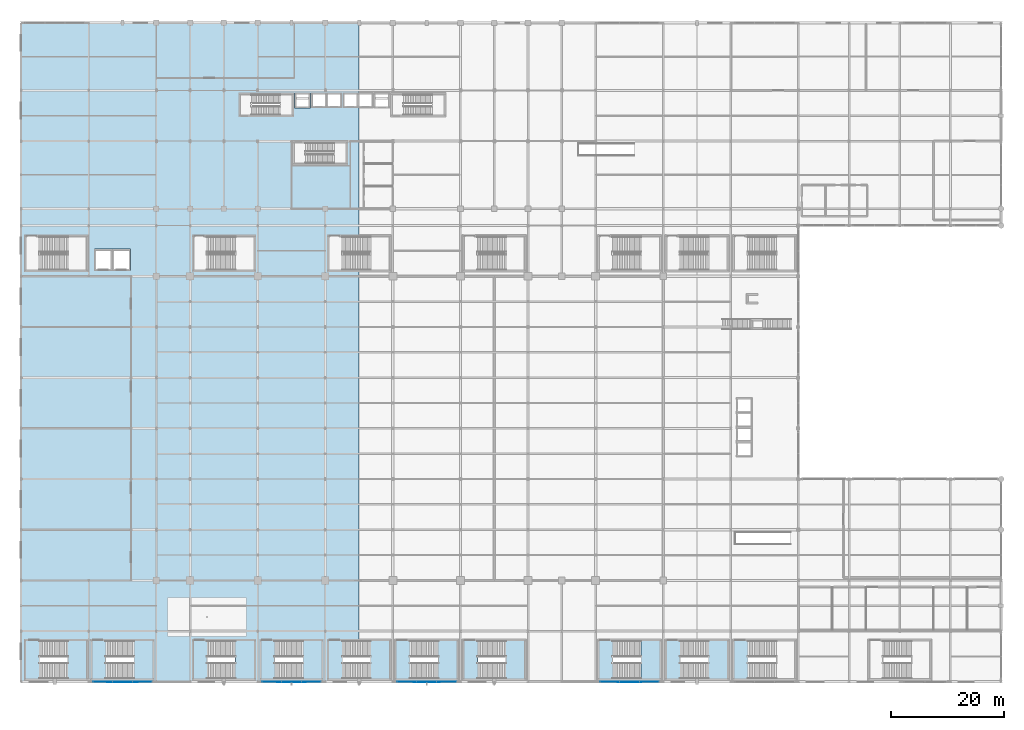
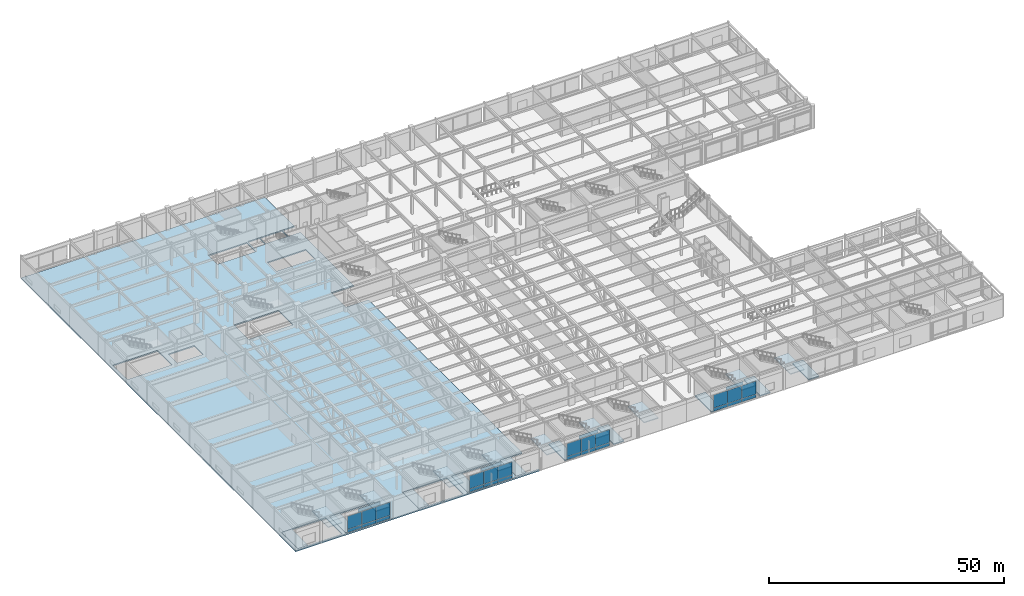
# One storey, part 84 of 108: 28 plates, 20 slabs, 13 elements without a shape of their own.
"""IFC4 building model written with IfcOpenShell, lengths in metres."""

import ifcopenshell
import ifcopenshell.guid

model = None  # the IFC model being written
_history = None  # IfcOwnerHistory: only IFC2X3 demands one
_inside = {}  # id of a spatial element -> (the spatial element, [elements in it])
_under = {}  # id of a project, library or spatial element -> (it, [spatial elements below it])
_declared = {}  # id of a project -> (the project, [libraries it declares])
_typed = {}  # id of a type object -> (the type object, [elements of that type])
_made_of = {}  # id of a material, layer set ... -> (it, [elements and type objects made of it])


def new_model(schema):
    """Start an empty IFC model of exactly this schema.

    Asked for "IFC4X3", IfcOpenShell would pick the latest addendum, in which some entities
    have other attributes; the version numbers below select the first issue.
    IFC2X3 requires an IfcOwnerHistory on every rooted entity: one is made here for all.
    """
    global model, _history
    if schema == "IFC4X3":
        model = ifcopenshell.file(schema_version=(4, 3, 0, 0))
    else:
        model = ifcopenshell.file(schema=schema)
    _inside.clear()
    _under.clear()
    _declared.clear()
    _typed.clear()
    _made_of.clear()
    _history = None
    if model.schema == "IFC2X3":
        org = make("IfcOrganization", Name="unknown")
        user = make(
            "IfcPersonAndOrganization",
            ThePerson=make("IfcPerson", FamilyName="unknown"),
            TheOrganization=org,
        )
        app = make(
            "IfcApplication",
            ApplicationDeveloper=org,
            Version="unknown",
            ApplicationFullName="unknown",
            ApplicationIdentifier="unknown",
        )
        _history = make(
            "IfcOwnerHistory",
            OwningUser=user,
            OwningApplication=app,
            ChangeAction="ADDED",
            CreationDate=0,
        )
    return model


def make(cls, **values):
    """One entity of the class cls with the attributes given. An attribute that is None is left unset."""
    return model.create_entity(
        cls, **{name: value for name, value in values.items() if value is not None}
    )


def rooted(cls, **values):
    """An entity with a GlobalId (a new one), such as an element, a storey or a relation."""
    return make(cls, GlobalId=ifcopenshell.guid.new(), OwnerHistory=_history, **values)


def si_unit(unit_type, name, prefix=None):
    """IfcSIUnit, for example si_unit("LENGTHUNIT", "METRE", prefix="MILLI")."""
    return make("IfcSIUnit", UnitType=unit_type, Prefix=prefix, Name=name)


def assignment(units):
    """IfcUnitAssignment: the units of a project."""
    return None if units is None else make("IfcUnitAssignment", Units=units)


def point(xyz):
    """IfcCartesianPoint."""
    return None if xyz is None else make("IfcCartesianPoint", Coordinates=xyz)


def direction(xyz):
    """IfcDirection."""
    return None if xyz is None else make("IfcDirection", DirectionRatios=xyz)


def frame(location, z_axis=None, x_axis=None):
    """IfcAxis2Placement3D, a coordinate frame: its origin and axes. An axis left out is left unset."""
    return make(
        "IfcAxis2Placement3D",
        Location=point(location),
        Axis=direction(z_axis),
        RefDirection=direction(x_axis),
    )


def frame_2d(location, x_axis=None):
    """IfcAxis2Placement2D, a coordinate frame in the plane: its origin and x axis."""
    return make(
        "IfcAxis2Placement2D", Location=point(location), RefDirection=direction(x_axis)
    )


def origin():
    """The frame at (0, 0, 0) with its axes left unset."""
    return frame((0.0, 0.0, 0.0))


def origin_2d():
    """The frame at (0, 0) in the plane with its x axis left unset."""
    return frame_2d((0.0, 0.0))


def place(relative_to, where):
    """IfcLocalPlacement: puts the frame where relative to a parent placement (None: the world)."""
    return make(
        "IfcLocalPlacement", PlacementRelTo=relative_to, RelativePlacement=where
    )


def context(
    kind, dimensions, precision=None, world=None, true_north=None, identifier=None
):
    """IfcGeometricRepresentationContext, for example the 3D "Model" context."""
    return make(
        "IfcGeometricRepresentationContext",
        ContextIdentifier=identifier,
        ContextType=kind,
        CoordinateSpaceDimension=dimensions,
        Precision=precision,
        WorldCoordinateSystem=world,
        TrueNorth=true_north,
    )


def subcontext(parent, identifier, kind, view, scale=None):
    """IfcGeometricRepresentationSubContext, for example "Body" below "Model"."""
    return make(
        "IfcGeometricRepresentationSubContext",
        ContextIdentifier=identifier,
        ContextType=kind,
        ParentContext=parent,
        TargetScale=scale,
        TargetView=view,
    )


def project(units=None, contexts=None):
    """IfcProject with its units and contexts."""
    return rooted(
        "IfcProject",
        Name="project",
        RepresentationContexts=contexts,
        UnitsInContext=assignment(units),
    )


def spatial(cls, under=None, at=None, **own):
    """A site, building, storey or space (cls), placed at a placement, below another one or the project."""
    s = rooted(cls, ObjectPlacement=at, **own)
    if under is not None:
        _under.setdefault(under.id(), (under, []))[1].append(s)
    return s


def polyline(points):
    """IfcPolyline through the points."""
    return make("IfcPolyline", Points=[point(p) for p in points])


def profile(cls, at=None, kind="AREA", **sizes):
    """A parametric profile (cls). Its sizes go by their IFC names, for example OverallWidth=200.0."""
    return make(cls, ProfileType=kind, Position=at, **sizes)


def rectangle(**sizes):
    """IfcRectangleProfileDef."""
    return profile("IfcRectangleProfileDef", **sizes)


def outline(outer, holes=None, kind="AREA"):
    """IfcArbitraryClosedProfileDef: a profile drawn as a closed curve; with holes, ...WithVoids."""
    if holes is None:
        return make("IfcArbitraryClosedProfileDef", ProfileType=kind, OuterCurve=outer)
    return make(
        "IfcArbitraryProfileDefWithVoids",
        ProfileType=kind,
        OuterCurve=outer,
        InnerCurves=holes,
    )


def extrude(swept, where, along, depth):
    """IfcExtrudedAreaSolid: the profile swept, set in the frame where, extruded along a direction by depth."""
    return make(
        "IfcExtrudedAreaSolid",
        SweptArea=swept,
        Position=where,
        ExtrudedDirection=direction(along),
        Depth=depth,
    )


def shape(context_of_items, identifier, shape_type, items):
    """IfcShapeRepresentation: the items that make up one representation, for example the "Body"."""
    return make(
        "IfcShapeRepresentation",
        ContextOfItems=context_of_items,
        RepresentationIdentifier=identifier,
        RepresentationType=shape_type,
        Items=items,
    )


def material(Name=None, Category=None):
    """IfcMaterial."""
    return make("IfcMaterial", Name=Name, Category=Category)


def layer(
    of_material, thickness, ventilated=None, Name=None, Category=None, Priority=None
):
    """IfcMaterialLayer: one layer of a wall or slab, of a material (None: an air gap)."""
    return make(
        "IfcMaterialLayer",
        Material=of_material,
        LayerThickness=thickness,
        IsVentilated=ventilated,
        Name=Name,
        Category=Category,
        Priority=Priority,
    )


def layer_set(layers, Name=None):
    """IfcMaterialLayerSet."""
    return make("IfcMaterialLayerSet", MaterialLayers=layers, LayerSetName=Name)


def made_of(thing, what):
    """Note that an element or type object is made of a material, layer set ...; save() writes the relation."""
    if what is not None:
        _made_of.setdefault(what.id(), (what, []))[1].append(thing)
    return thing


def type_object(cls, material=None, **own):
    """A type object (cls), such as IfcWallType, which elements share."""
    return made_of(rooted(cls, **own), material)


def element(
    cls,
    number,
    at=None,
    inside=None,
    cuts=None,
    type_object=None,
    material=None,
    context=None,
    identifier="Body",
    shape_type=None,
    held_by="IfcProductDefinitionShape",
    body=None,
    shapes=None,
    **own,
):
    """One element of the class cls, such as IfcWall. Its Tag is "e" and its number.

    at: its placement. inside: the storey or other place that contains it. cuts: it is an
    opening in that element (IfcRelVoidsElement). A single representation is given by context,
    identifier, shape_type and body (its items); several are given by shapes. held_by: the class
    of the entity that holds the representations. save() writes the other relations.
    """
    e = rooted(cls, Tag="e%d" % number, ObjectPlacement=at, **own)
    if body is not None:
        shapes = [shape(context, identifier, shape_type, body)]
    if shapes is not None:
        e.Representation = make(held_by, Representations=shapes)
    if inside is not None:
        _inside.setdefault(inside.id(), (inside, []))[1].append(e)
    if cuts is not None:
        rooted(
            "IfcRelVoidsElement", RelatingBuildingElement=cuts, RelatedOpeningElement=e
        )
    if type_object is not None:
        _typed.setdefault(type_object.id(), (type_object, []))[1].append(e)
    return made_of(e, material)


def aggregate(whole, parts):
    """IfcRelAggregates: a whole, such as a stair, and the parts it consists of."""
    return rooted("IfcRelAggregates", RelatingObject=whole, RelatedObjects=parts)


def save(model, path):
    """Write the relations noted so far, then the file.

    IfcRelAggregates (storeys below a building ...), IfcRelContainedInSpatialStructure (elements
    in a storey), IfcRelDefinesByType, IfcRelAssociatesMaterial and IfcRelDeclares: one each for
    every whole, place, type object, material and project.
    """
    for whole, parts in _under.values():
        aggregate(whole, parts)
    for where, things in _inside.values():
        rooted(
            "IfcRelContainedInSpatialStructure",
            RelatedElements=things,
            RelatingStructure=where,
        )
    for kind, things in _typed.values():
        rooted("IfcRelDefinesByType", RelatedObjects=things, RelatingType=kind)
    for what, things in _made_of.values():
        rooted("IfcRelAssociatesMaterial", RelatedObjects=things, RelatingMaterial=what)
    for by, libraries in _declared.values():
        rooted("IfcRelDeclares", RelatingContext=by, RelatedDefinitions=libraries)
    model.write(path)


model = new_model("IFC4")

# Units and contexts
model_context = context("Model", 3, precision=1e-05, world=origin(), true_north=direction((0.0, 1.0)))
body_context = subcontext(model_context, "Body", "Model", "MODEL_VIEW")
ifc_project = project(units=[si_unit("LENGTHUNIT", "METRE"), si_unit("AREAUNIT", "SQUARE_METRE"), si_unit("VOLUMEUNIT", "CUBIC_METRE"), si_unit("PLANEANGLEUNIT", "RADIAN"), si_unit("MASSUNIT", "GRAM", prefix="KILO")], contexts=[model_context])

# Site, building, storey
site_placement = place(None, origin())
site = spatial("IfcSite", under=ifc_project, at=site_placement, CompositionType="ELEMENT")
building_placement = place(site_placement, origin())
building = spatial("IfcBuilding", under=site, at=building_placement, Name="Kaldorvane Square Convention Centre", CompositionType="ELEMENT")
storey_placement = place(building_placement, frame((0.0, 0.0, 12.0)))
storey = spatial("IfcBuildingStorey", under=building, at=storey_placement, Name="L02", CompositionType="ELEMENT", Elevation=12.0)

# Curtain wall, plates
ifc_material_1 = material(Name="Anodized Aluminum and Low-E Insulated Glazing", Category="aluminium")
curtain_wall_type = type_object("IfcCurtainWallType", Name="CW-UNI-P60-12", PredefinedType="USERDEFINED", material=ifc_material_1)
curtain_wall_1_placement = place(storey_placement, origin())
curtain_wall_1 = element("IfcCurtainWall", 1, at=curtain_wall_1_placement, inside=storey, type_object=curtain_wall_type, Name="Curtain Wall CW-01 (L02)", ObjectType="UNITISED GLAZING", PredefinedType="USERDEFINED")
ifc_layer_1 = layer(ifc_material_1, 0.037994384765625)
ifc_layer_set_1 = layer_set([ifc_layer_1], Name="Anodized Aluminum and Low-E Insulated Glazing")
plate_type_1 = type_object("IfcPlateType", Name="CW-PNL-01", PredefinedType="CURTAIN_PANEL", material=ifc_layer_set_1)
plate_1_placement = place(storey_placement, frame((14.48541259765625, 0.0, 0.214996337890625), z_axis=(0.0, 0.0, 1.0), x_axis=(1.0, 0.0, 0.0)))
plate_1 = element("IfcPlate", 2, at=plate_1_placement, type_object=plate_type_1, Name="CW-01 panel 1.1", PredefinedType="CURTAIN_PANEL", context=body_context, shape_type="SweptSolid", body=[
    extrude(rectangle(XDim=3.42083740234375, YDim=0.037994384765625, at=origin_2d()), origin(), (0.0, 0.0, 1.0), 0.8025054931640625),
])
plate_2_placement = place(storey_placement, frame((14.48541259765625, 0.0, 1.082489013671875), z_axis=(0.0, 0.0, 1.0), x_axis=(1.0, 0.0, 0.0)))
plate_2 = element("IfcPlate", 3, at=plate_2_placement, type_object=plate_type_1, Name="CW-01 panel 1.2", PredefinedType="CURTAIN_PANEL", context=body_context, shape_type="SweptSolid", body=[
    extrude(rectangle(XDim=3.42083740234375, YDim=0.037994384765625, at=origin_2d()), origin(), (0.0, 0.0, 1.0), 3.38250732421875),
])
plate_3_placement = place(storey_placement, frame((18.0, 0.0, 0.214996337890625), z_axis=(0.0, 0.0, 1.0), x_axis=(1.0, 0.0, 0.0)))
plate_3 = element("IfcPlate", 4, at=plate_3_placement, type_object=plate_type_1, Name="CW-01 panel 2.1", PredefinedType="CURTAIN_PANEL", context=body_context, shape_type="SweptSolid", body=[
    extrude(rectangle(XDim=3.4583282470703125, YDim=0.037994384765625, at=origin_2d()), origin(), (0.0, 0.0, 1.0), 0.8025054931640625),
])
plate_4_placement = place(storey_placement, frame((18.0, 0.0, 1.082489013671875), z_axis=(0.0, 0.0, 1.0), x_axis=(1.0, 0.0, 0.0)))
plate_4 = element("IfcPlate", 5, at=plate_4_placement, type_object=plate_type_1, Name="CW-01 panel 2.2", PredefinedType="CURTAIN_PANEL", context=body_context, shape_type="SweptSolid", body=[
    extrude(rectangle(XDim=3.4583282470703125, YDim=0.037994384765625, at=origin_2d()), origin(), (0.0, 0.0, 1.0), 3.38250732421875),
])
plate_5_placement = place(storey_placement, frame((21.51458740234375, 0.0, 0.214996337890625), z_axis=(0.0, 0.0, 1.0), x_axis=(1.0, 0.0, 0.0)))
plate_5 = element("IfcPlate", 6, at=plate_5_placement, type_object=plate_type_1, Name="CW-01 panel 3.1", PredefinedType="CURTAIN_PANEL", context=body_context, shape_type="SweptSolid", body=[
    extrude(rectangle(XDim=3.42083740234375, YDim=0.037994384765625, at=origin_2d()), origin(), (0.0, 0.0, 1.0), 0.8025054931640625),
])
plate_6_placement = place(storey_placement, frame((21.51458740234375, 0.0, 1.082489013671875), z_axis=(0.0, 0.0, 1.0), x_axis=(1.0, 0.0, 0.0)))
plate_6 = element("IfcPlate", 7, at=plate_6_placement, type_object=plate_type_1, Name="CW-01 panel 3.2", PredefinedType="CURTAIN_PANEL", context=body_context, shape_type="SweptSolid", body=[
    extrude(rectangle(XDim=3.42083740234375, YDim=0.037994384765625, at=origin_2d()), origin(), (0.0, 0.0, 1.0), 3.38250732421875),
])
aggregate(curtain_wall_1, [plate_1, plate_2, plate_3, plate_4, plate_5, plate_6])

curtain_wall_2_placement = place(storey_placement, origin())
curtain_wall_2 = element("IfcCurtainWall", 8, at=curtain_wall_2_placement, inside=storey, type_object=curtain_wall_type, Name="Curtain Wall CW-01 (L02)", ObjectType="UNITISED GLAZING", PredefinedType="USERDEFINED")
plate_7_placement = place(storey_placement, frame((44.48541259765625, 0.0, 0.214996337890625), z_axis=(0.0, 0.0, 1.0), x_axis=(1.0, 0.0, 0.0)))
plate_7 = element("IfcPlate", 9, at=plate_7_placement, type_object=plate_type_1, Name="CW-01 panel 1.1", PredefinedType="CURTAIN_PANEL", context=body_context, shape_type="SweptSolid", body=[
    extrude(rectangle(XDim=3.42083740234375, YDim=0.037994384765625, at=origin_2d()), origin(), (0.0, 0.0, 1.0), 0.8025054931640625),
])
plate_8_placement = place(storey_placement, frame((44.48541259765625, 0.0, 1.082489013671875), z_axis=(0.0, 0.0, 1.0), x_axis=(1.0, 0.0, 0.0)))
plate_8 = element("IfcPlate", 10, at=plate_8_placement, type_object=plate_type_1, Name="CW-01 panel 1.2", PredefinedType="CURTAIN_PANEL", context=body_context, shape_type="SweptSolid", body=[
    extrude(rectangle(XDim=3.42083740234375, YDim=0.037994384765625, at=origin_2d()), origin(), (0.0, 0.0, 1.0), 3.38250732421875),
])
plate_9_placement = place(storey_placement, frame((48.0, 0.0, 0.214996337890625), z_axis=(0.0, 0.0, 1.0), x_axis=(1.0, 0.0, 0.0)))
plate_9 = element("IfcPlate", 11, at=plate_9_placement, type_object=plate_type_1, Name="CW-01 panel 2.1", PredefinedType="CURTAIN_PANEL", context=body_context, shape_type="SweptSolid", body=[
    extrude(rectangle(XDim=3.4583282470703125, YDim=0.037994384765625, at=origin_2d()), origin(), (0.0, 0.0, 1.0), 0.8025054931640625),
])
plate_10_placement = place(storey_placement, frame((48.0, 0.0, 1.082489013671875), z_axis=(0.0, 0.0, 1.0), x_axis=(1.0, 0.0, 0.0)))
plate_10 = element("IfcPlate", 12, at=plate_10_placement, type_object=plate_type_1, Name="CW-01 panel 2.2", PredefinedType="CURTAIN_PANEL", context=body_context, shape_type="SweptSolid", body=[
    extrude(rectangle(XDim=3.4583282470703125, YDim=0.037994384765625, at=origin_2d()), origin(), (0.0, 0.0, 1.0), 3.38250732421875),
])
plate_11_placement = place(storey_placement, frame((51.51458740234375, 0.0, 0.214996337890625), z_axis=(0.0, 0.0, 1.0), x_axis=(1.0, 0.0, 0.0)))
plate_11 = element("IfcPlate", 13, at=plate_11_placement, type_object=plate_type_1, Name="CW-01 panel 3.1", PredefinedType="CURTAIN_PANEL", context=body_context, shape_type="SweptSolid", body=[
    extrude(rectangle(XDim=3.42083740234375, YDim=0.037994384765625, at=origin_2d()), origin(), (0.0, 0.0, 1.0), 0.8025054931640625),
])
plate_12_placement = place(storey_placement, frame((51.51458740234375, 0.0, 1.082489013671875), z_axis=(0.0, 0.0, 1.0), x_axis=(1.0, 0.0, 0.0)))
plate_12 = element("IfcPlate", 14, at=plate_12_placement, type_object=plate_type_1, Name="CW-01 panel 3.2", PredefinedType="CURTAIN_PANEL", context=body_context, shape_type="SweptSolid", body=[
    extrude(rectangle(XDim=3.42083740234375, YDim=0.037994384765625, at=origin_2d()), origin(), (0.0, 0.0, 1.0), 3.38250732421875),
])
aggregate(curtain_wall_2, [plate_7, plate_8, plate_9, plate_10, plate_11, plate_12])

curtain_wall_3_placement = place(storey_placement, origin())
curtain_wall_3 = element("IfcCurtainWall", 15, at=curtain_wall_3_placement, inside=storey, type_object=curtain_wall_type, Name="Curtain Wall CW-01 (L02)", ObjectType="UNITISED GLAZING", PredefinedType="USERDEFINED")
plate_13_placement = place(storey_placement, frame((68.48541259765625, 0.0, 0.214996337890625), z_axis=(0.0, 0.0, 1.0), x_axis=(1.0, 0.0, 0.0)))
plate_13 = element("IfcPlate", 16, at=plate_13_placement, type_object=plate_type_1, Name="CW-01 panel 1.1", PredefinedType="CURTAIN_PANEL", context=body_context, shape_type="SweptSolid", body=[
    extrude(rectangle(XDim=3.42083740234375, YDim=0.037994384765625, at=origin_2d()), origin(), (0.0, 0.0, 1.0), 0.8025054931640625),
])
plate_14_placement = place(storey_placement, frame((68.48541259765625, 0.0, 1.082489013671875), z_axis=(0.0, 0.0, 1.0), x_axis=(1.0, 0.0, 0.0)))
plate_14 = element("IfcPlate", 17, at=plate_14_placement, type_object=plate_type_1, Name="CW-01 panel 1.2", PredefinedType="CURTAIN_PANEL", context=body_context, shape_type="SweptSolid", body=[
    extrude(rectangle(XDim=3.42083740234375, YDim=0.037994384765625, at=origin_2d()), origin(), (0.0, 0.0, 1.0), 3.38250732421875),
])
plate_15_placement = place(storey_placement, frame((72.0, 0.0, 0.214996337890625), z_axis=(0.0, 0.0, 1.0), x_axis=(1.0, 0.0, 0.0)))
plate_15 = element("IfcPlate", 18, at=plate_15_placement, type_object=plate_type_1, Name="CW-01 panel 2.1", PredefinedType="CURTAIN_PANEL", context=body_context, shape_type="SweptSolid", body=[
    extrude(rectangle(XDim=3.4583282470703125, YDim=0.037994384765625, at=origin_2d()), origin(), (0.0, 0.0, 1.0), 0.8025054931640625),
])
plate_16_placement = place(storey_placement, frame((72.0, 0.0, 1.082489013671875), z_axis=(0.0, 0.0, 1.0), x_axis=(1.0, 0.0, 0.0)))
plate_16 = element("IfcPlate", 19, at=plate_16_placement, type_object=plate_type_1, Name="CW-01 panel 2.2", PredefinedType="CURTAIN_PANEL", context=body_context, shape_type="SweptSolid", body=[
    extrude(rectangle(XDim=3.4583282470703125, YDim=0.037994384765625, at=origin_2d()), origin(), (0.0, 0.0, 1.0), 3.38250732421875),
])
plate_17_placement = place(storey_placement, frame((75.51458740234375, 0.0, 0.214996337890625), z_axis=(0.0, 0.0, 1.0), x_axis=(1.0, 0.0, 0.0)))
plate_17 = element("IfcPlate", 20, at=plate_17_placement, type_object=plate_type_1, Name="CW-01 panel 3.1", PredefinedType="CURTAIN_PANEL", context=body_context, shape_type="SweptSolid", body=[
    extrude(rectangle(XDim=3.42083740234375, YDim=0.037994384765625, at=origin_2d()), origin(), (0.0, 0.0, 1.0), 0.8025054931640625),
])
plate_18_placement = place(storey_placement, frame((75.51458740234375, 0.0, 1.082489013671875), z_axis=(0.0, 0.0, 1.0), x_axis=(1.0, 0.0, 0.0)))
plate_18 = element("IfcPlate", 21, at=plate_18_placement, type_object=plate_type_1, Name="CW-01 panel 3.2", PredefinedType="CURTAIN_PANEL", context=body_context, shape_type="SweptSolid", body=[
    extrude(rectangle(XDim=3.42083740234375, YDim=0.037994384765625, at=origin_2d()), origin(), (0.0, 0.0, 1.0), 3.38250732421875),
])
aggregate(curtain_wall_3, [plate_13, plate_14, plate_15, plate_16, plate_17, plate_18])

curtain_wall_4_placement = place(storey_placement, origin())
curtain_wall_4 = element("IfcCurtainWall", 22, at=curtain_wall_4_placement, inside=storey, type_object=curtain_wall_type, Name="Curtain Wall CW-01 (L02)", ObjectType="UNITISED GLAZING", PredefinedType="USERDEFINED")
plate_19_placement = place(storey_placement, frame((104.48541259765625, 0.0, 0.214996337890625), z_axis=(0.0, 0.0, 1.0), x_axis=(1.0, 0.0, 0.0)))
plate_19 = element("IfcPlate", 23, at=plate_19_placement, type_object=plate_type_1, Name="CW-01 panel 1.1", PredefinedType="CURTAIN_PANEL", context=body_context, shape_type="SweptSolid", body=[
    extrude(rectangle(XDim=3.42083740234375, YDim=0.037994384765625, at=origin_2d()), origin(), (0.0, 0.0, 1.0), 0.8025054931640625),
])
plate_20_placement = place(storey_placement, frame((104.48541259765625, 0.0, 1.082489013671875), z_axis=(0.0, 0.0, 1.0), x_axis=(1.0, 0.0, 0.0)))
plate_20 = element("IfcPlate", 24, at=plate_20_placement, type_object=plate_type_1, Name="CW-01 panel 1.2", PredefinedType="CURTAIN_PANEL", context=body_context, shape_type="SweptSolid", body=[
    extrude(rectangle(XDim=3.42083740234375, YDim=0.037994384765625, at=origin_2d()), origin(), (0.0, 0.0, 1.0), 3.38250732421875),
])
plate_21_placement = place(storey_placement, frame((108.0, 0.0, 0.214996337890625), z_axis=(0.0, 0.0, 1.0), x_axis=(1.0, 0.0, 0.0)))
plate_21 = element("IfcPlate", 25, at=plate_21_placement, type_object=plate_type_1, Name="CW-01 panel 2.1", PredefinedType="CURTAIN_PANEL", context=body_context, shape_type="SweptSolid", body=[
    extrude(rectangle(XDim=3.4583282470703125, YDim=0.037994384765625, at=origin_2d()), origin(), (0.0, 0.0, 1.0), 0.8025054931640625),
])
plate_22_placement = place(storey_placement, frame((108.0, 0.0, 1.082489013671875), z_axis=(0.0, 0.0, 1.0), x_axis=(1.0, 0.0, 0.0)))
plate_22 = element("IfcPlate", 26, at=plate_22_placement, type_object=plate_type_1, Name="CW-01 panel 2.2", PredefinedType="CURTAIN_PANEL", context=body_context, shape_type="SweptSolid", body=[
    extrude(rectangle(XDim=3.4583282470703125, YDim=0.037994384765625, at=origin_2d()), origin(), (0.0, 0.0, 1.0), 3.38250732421875),
])
plate_23_placement = place(storey_placement, frame((111.51458740234375, 0.0, 0.214996337890625), z_axis=(0.0, 0.0, 1.0), x_axis=(1.0, 0.0, 0.0)))
plate_23 = element("IfcPlate", 27, at=plate_23_placement, type_object=plate_type_1, Name="CW-01 panel 3.1", PredefinedType="CURTAIN_PANEL", context=body_context, shape_type="SweptSolid", body=[
    extrude(rectangle(XDim=3.42083740234375, YDim=0.037994384765625, at=origin_2d()), origin(), (0.0, 0.0, 1.0), 0.8025054931640625),
])
plate_24_placement = place(storey_placement, frame((111.51458740234375, 0.0, 1.082489013671875), z_axis=(0.0, 0.0, 1.0), x_axis=(1.0, 0.0, 0.0)))
plate_24 = element("IfcPlate", 28, at=plate_24_placement, type_object=plate_type_1, Name="CW-01 panel 3.2", PredefinedType="CURTAIN_PANEL", context=body_context, shape_type="SweptSolid", body=[
    extrude(rectangle(XDim=3.42083740234375, YDim=0.037994384765625, at=origin_2d()), origin(), (0.0, 0.0, 1.0), 3.38250732421875),
])
aggregate(curtain_wall_4, [plate_19, plate_20, plate_21, plate_22, plate_23, plate_24])

# Plates
ifc_material_2 = material(Name="Concrete f'c = 42 MPa (Normalweight) Precast", Category="concrete")
ifc_layer_2 = layer(ifc_material_2, 0.095001220703125)
ifc_layer_set_2 = layer_set([ifc_layer_2], Name="Concrete f'c = 42 MPa (Normalweight) Precast")
plate_type_2 = type_object("IfcPlateType", Name="PL-FASCIA-01", PredefinedType="USERDEFINED", material=ifc_layer_set_2)
plate_25_placement = place(storey_placement, frame((18.0, -0.037506103515625, 4.6500091552734375), z_axis=(0.0, 0.0, 1.0), x_axis=(1.0, 0.0, 0.0)))
element("IfcPlate", 29, at=plate_25_placement, inside=storey, type_object=plate_type_2, Name="Precast Spandrel Fascia Plate (L02)", ObjectType="CLADDING", PredefinedType="USERDEFINED", context=body_context, shape_type="SweptSolid", body=[
    extrude(rectangle(XDim=5.399993896484375, YDim=0.095001220703125, at=origin_2d()), origin(), (0.0, 0.0, 1.0), 0.899993896484375),
])
ifc_layer_3 = layer(ifc_material_2, 0.0850067138671875)
ifc_layer_set_3 = layer_set([ifc_layer_3], Name="Concrete f'c = 42 MPa (Normalweight) Precast")
plate_type_3 = type_object("IfcPlateType", Name="PL-FASCIA-02", PredefinedType="USERDEFINED", material=ifc_layer_set_3)
plate_26_placement = place(storey_placement, frame((48.0, -0.032501220703125, 4.660003662109375), z_axis=(0.0, 0.0, 1.0), x_axis=(1.0, 0.0, 0.0)))
element("IfcPlate", 30, at=plate_26_placement, inside=storey, type_object=plate_type_3, Name="Precast Spandrel Fascia Plate (L02)", ObjectType="CLADDING", PredefinedType="USERDEFINED", context=body_context, shape_type="SweptSolid", body=[
    extrude(rectangle(XDim=5.0, YDim=0.0850067138671875, at=origin_2d()), origin(), (0.0, 0.0, 1.0), 0.8800048828125),
])
ifc_layer_4 = layer(ifc_material_2, 0.0749969482421875)
ifc_layer_set_4 = layer_set([ifc_layer_4], Name="Concrete f'c = 42 MPa (Normalweight) Precast")
plate_type_4 = type_object("IfcPlateType", Name="PL-FASCIA-03", PredefinedType="USERDEFINED", material=ifc_layer_set_4)
plate_27_placement = place(storey_placement, frame((72.0, -0.027496337890625, 4.6750030517578125), z_axis=(0.0, 0.0, 1.0), x_axis=(1.0, 0.0, 0.0)))
element("IfcPlate", 31, at=plate_27_placement, inside=storey, type_object=plate_type_4, Name="Precast Spandrel Fascia Plate (L02)", ObjectType="CLADDING", PredefinedType="USERDEFINED", context=body_context, shape_type="SweptSolid", body=[
    extrude(rectangle(XDim=4.600006103515625, YDim=0.0749969482421875, at=origin_2d()), origin(), (0.0, 0.0, 1.0), 0.850006103515625),
])
ifc_layer_5 = layer(ifc_material_2, 0.0679931640625)
ifc_layer_set_5 = layer_set([ifc_layer_5], Name="Concrete f'c = 42 MPa (Normalweight) Precast")
plate_type_5 = type_object("IfcPlateType", Name="PL-FASCIA-04", PredefinedType="USERDEFINED", material=ifc_layer_set_5)
plate_28_placement = place(storey_placement, frame((108.0, -0.0240020751953125, 4.69000244140625), z_axis=(0.0, 0.0, 1.0), x_axis=(1.0, 0.0, 0.0)))
element("IfcPlate", 32, at=plate_28_placement, inside=storey, type_object=plate_type_5, Name="Precast Spandrel Fascia Plate (L02)", ObjectType="CLADDING", PredefinedType="USERDEFINED", context=body_context, shape_type="SweptSolid", body=[
    extrude(rectangle(XDim=4.1999969482421875, YDim=0.0679931640625, at=origin_2d()), origin(), (0.0, 0.0, 1.0), 0.82000732421875),
])

# Slabs
ifc_material_3 = material(Name="Concrete f'c = 42 MPa (Normalweight)", Category="concrete")
ifc_layer_6 = layer(ifc_material_3, 0.279998779296875)
ifc_layer_set_6 = layer_set([ifc_layer_6], Name="Concrete f'c = 42 MPa (Normalweight)")
slab_type_1 = type_object("IfcSlabType", Name="SL-FLND-280", PredefinedType="FLOOR", material=ifc_layer_set_6)
slab_1_placement = place(storey_placement, frame((0.0, 0.0, -0.279998779296875)))
element("IfcSlab", 33, at=slab_1_placement, inside=storey, type_object=slab_type_1, Name="Convention Exit Stair C1 Floor Landing (L02)", PredefinedType="FLOOR", context=body_context, shape_type="SweptSolid", body=[
    extrude(outline(polyline([(0.7400054931640625, 0.42999267578125), (3.2899932861328125, 0.42999267578125), (3.2899932861328125, 7.3800048828125), (0.7400054931640625, 7.3800048828125), (0.7400054931640625, 0.42999267578125)])), origin(), (0.0, 0.0, 1.0), 0.279998779296875),
])
slab_2_placement = place(storey_placement, frame((0.0, 0.0, -0.279998779296875)))
element("IfcSlab", 34, at=slab_2_placement, inside=storey, type_object=slab_type_1, Name="Convention Exit Stair C2 Floor Landing (L02)", PredefinedType="FLOOR", context=body_context, shape_type="SweptSolid", body=[
    extrude(outline(polyline([(12.520004272460938, 0.42999267578125), (15.07000732421875, 0.42999267578125), (15.07000732421875, 7.3800048828125), (12.520004272460938, 7.3800048828125), (12.520004272460938, 0.42999267578125)])), origin(), (0.0, 0.0, 1.0), 0.279998779296875),
])
slab_3_placement = place(storey_placement, frame((0.0, 0.0, -0.279998779296875)))
element("IfcSlab", 35, at=slab_3_placement, inside=storey, type_object=slab_type_1, Name="Convention Exit Stair C3 Floor Landing (L02)", PredefinedType="FLOOR", context=body_context, shape_type="SweptSolid", body=[
    extrude(outline(polyline([(30.520004272460938, 0.42999267578125), (33.07000732421875, 0.42999267578125), (33.07000732421875, 7.3800048828125), (30.520004272460938, 7.3800048828125), (30.520004272460938, 0.42999267578125)])), origin(), (0.0, 0.0, 1.0), 0.279998779296875),
])
slab_4_placement = place(storey_placement, frame((0.0, 0.0, -0.279998779296875)))
element("IfcSlab", 36, at=slab_4_placement, inside=storey, type_object=slab_type_1, Name="Convention Exit Stair C4 Floor Landing (L02)", PredefinedType="FLOOR", context=body_context, shape_type="SweptSolid", body=[
    extrude(outline(polyline([(42.52000427246094, 0.42999267578125), (45.07000732421875, 0.42999267578125), (45.07000732421875, 7.3800048828125), (42.52000427246094, 7.3800048828125), (42.52000427246094, 0.42999267578125)])), origin(), (0.0, 0.0, 1.0), 0.279998779296875),
])
slab_5_placement = place(storey_placement, frame((0.0, 0.0, -0.279998779296875)))
element("IfcSlab", 37, at=slab_5_placement, inside=storey, type_object=slab_type_1, Name="Convention Exit Stair C5 Floor Landing (L02)", PredefinedType="FLOOR", context=body_context, shape_type="SweptSolid", body=[
    extrude(outline(polyline([(54.52000427246094, 0.42999267578125), (57.07000732421875, 0.42999267578125), (57.07000732421875, 7.3800048828125), (54.52000427246094, 7.3800048828125), (54.52000427246094, 0.42999267578125)])), origin(), (0.0, 0.0, 1.0), 0.279998779296875),
])
slab_6_placement = place(storey_placement, frame((0.0, 0.0, -0.279998779296875)))
element("IfcSlab", 38, at=slab_6_placement, inside=storey, type_object=slab_type_1, Name="Convention Exit Stair C6 Floor Landing (L02)", PredefinedType="FLOOR", context=body_context, shape_type="SweptSolid", body=[
    extrude(outline(polyline([(66.52000427246094, 0.42999267578125), (69.07000732421875, 0.42999267578125), (69.07000732421875, 7.3800048828125), (66.52000427246094, 7.3800048828125), (66.52000427246094, 0.42999267578125)])), origin(), (0.0, 0.0, 1.0), 0.279998779296875),
])
slab_7_placement = place(storey_placement, frame((0.0, 0.0, -0.279998779296875)))
element("IfcSlab", 39, at=slab_7_placement, inside=storey, type_object=slab_type_1, Name="Convention Exit Stair C7 Floor Landing (L02)", PredefinedType="FLOOR", context=body_context, shape_type="SweptSolid", body=[
    extrude(outline(polyline([(78.52000427246094, 0.42999267578125), (81.07000732421875, 0.42999267578125), (81.07000732421875, 7.3800048828125), (78.52000427246094, 7.3800048828125), (78.52000427246094, 0.42999267578125)])), origin(), (0.0, 0.0, 1.0), 0.279998779296875),
])
slab_8_placement = place(storey_placement, frame((0.0, 0.0, -0.279998779296875)))
element("IfcSlab", 40, at=slab_8_placement, inside=storey, type_object=slab_type_1, Name="Convention Exit Stair C8 Floor Landing (L02)", PredefinedType="FLOOR", context=body_context, shape_type="SweptSolid", body=[
    extrude(outline(polyline([(102.52000427246094, 0.42999267578125), (105.07000732421875, 0.42999267578125), (105.07000732421875, 7.3800048828125), (102.52000427246094, 7.3800048828125), (102.52000427246094, 0.42999267578125)])), origin(), (0.0, 0.0, 1.0), 0.279998779296875),
])
slab_9_placement = place(storey_placement, frame((0.0, 0.0, -0.279998779296875)))
element("IfcSlab", 41, at=slab_9_placement, inside=storey, type_object=slab_type_1, Name="Convention Exit Stair C9 Floor Landing (L02)", PredefinedType="FLOOR", context=body_context, shape_type="SweptSolid", body=[
    extrude(outline(polyline([(114.52000427246094, 0.42999267578125), (117.07000732421875, 0.42999267578125), (117.07000732421875, 7.3800048828125), (114.52000427246094, 7.3800048828125), (114.52000427246094, 0.42999267578125)])), origin(), (0.0, 0.0, 1.0), 0.279998779296875),
])
slab_10_placement = place(storey_placement, frame((0.0, 0.0, -0.279998779296875)))
element("IfcSlab", 42, at=slab_10_placement, inside=storey, type_object=slab_type_1, Name="Convention Exit Stair C10 Floor Landing (L02)", PredefinedType="FLOOR", context=body_context, shape_type="SweptSolid", body=[
    extrude(outline(polyline([(126.52000427246094, 0.42999267578125), (129.07000732421875, 0.42999267578125), (129.07000732421875, 7.3800048828125), (126.52000427246094, 7.3800048828125), (126.52000427246094, 0.42999267578125)])), origin(), (0.0, 0.0, 1.0), 0.279998779296875),
])

# Stair, slab
stair_type = type_object("IfcStairType", Name="ST-DL-2800-6000-D6710", PredefinedType="HALF_TURN_STAIR", material=ifc_material_3)
stair_1_placement = place(storey_placement, origin())
stair_1 = element("IfcStair", 43, at=stair_1_placement, inside=storey, type_object=stair_type, Name="Convention Exit Stair C1 (L02)", PredefinedType="HALF_TURN_STAIR")
ifc_layer_7 = layer(ifc_material_3, 0.2400054931640625)
ifc_layer_set_7 = layer_set([ifc_layer_7], Name="Concrete f'c = 42 MPa (Normalweight)")
slab_type_2 = type_object("IfcSlabType", Name="SL-LAND-240", PredefinedType="LANDING", material=ifc_layer_set_7)
slab_11_placement = place(storey_placement, frame((0.0, 0.0, 2.7599945068359375)))
slab_11 = element("IfcSlab", 44, at=slab_11_placement, type_object=slab_type_2, Name="Convention Exit Stair C1 Half Landing (L02)", PredefinedType="LANDING", context=body_context, shape_type="SweptSolid", body=[
    extrude(outline(polyline([(8.229995727539062, 0.42999267578125), (11.699996948242188, 0.42999267578125), (11.699996948242188, 7.3800048828125), (8.229995727539062, 7.3800048828125), (8.229995727539062, 0.42999267578125)])), origin(), (0.0, 0.0, 1.0), 0.2400054931640625),
])
aggregate(stair_1, [slab_11])

stair_2_placement = place(storey_placement, origin())
stair_2 = element("IfcStair", 45, at=stair_2_placement, inside=storey, type_object=stair_type, Name="Convention Exit Stair C2 (L02)", PredefinedType="HALF_TURN_STAIR")
slab_12_placement = place(storey_placement, frame((0.0, 0.0, 2.7599945068359375)))
slab_12 = element("IfcSlab", 46, at=slab_12_placement, type_object=slab_type_2, Name="Convention Exit Stair C2 Half Landing (L02)", PredefinedType="LANDING", context=body_context, shape_type="SweptSolid", body=[
    extrude(outline(polyline([(20.009994506835938, 0.42999267578125), (23.479995727539062, 0.42999267578125), (23.479995727539062, 7.3800048828125), (20.009994506835938, 7.3800048828125), (20.009994506835938, 0.42999267578125)])), origin(), (0.0, 0.0, 1.0), 0.2400054931640625),
])
aggregate(stair_2, [slab_12])

stair_3_placement = place(storey_placement, origin())
stair_3 = element("IfcStair", 47, at=stair_3_placement, inside=storey, type_object=stair_type, Name="Convention Exit Stair C3 (L02)", PredefinedType="HALF_TURN_STAIR")
slab_13_placement = place(storey_placement, frame((0.0, 0.0, 2.7599945068359375)))
slab_13 = element("IfcSlab", 48, at=slab_13_placement, type_object=slab_type_2, Name="Convention Exit Stair C3 Half Landing (L02)", PredefinedType="LANDING", context=body_context, shape_type="SweptSolid", body=[
    extrude(outline(polyline([(38.00999450683594, 0.42999267578125), (41.47999572753906, 0.42999267578125), (41.47999572753906, 7.3800048828125), (38.00999450683594, 7.3800048828125), (38.00999450683594, 0.42999267578125)])), origin(), (0.0, 0.0, 1.0), 0.2400054931640625),
])
aggregate(stair_3, [slab_13])

stair_4_placement = place(storey_placement, origin())
stair_4 = element("IfcStair", 49, at=stair_4_placement, inside=storey, type_object=stair_type, Name="Convention Exit Stair C4 (L02)", PredefinedType="HALF_TURN_STAIR")
slab_14_placement = place(storey_placement, frame((0.0, 0.0, 2.7599945068359375)))
slab_14 = element("IfcSlab", 50, at=slab_14_placement, type_object=slab_type_2, Name="Convention Exit Stair C4 Half Landing (L02)", PredefinedType="LANDING", context=body_context, shape_type="SweptSolid", body=[
    extrude(outline(polyline([(50.00999450683594, 0.42999267578125), (53.47999572753906, 0.42999267578125), (53.47999572753906, 7.3800048828125), (50.00999450683594, 7.3800048828125), (50.00999450683594, 0.42999267578125)])), origin(), (0.0, 0.0, 1.0), 0.2400054931640625),
])
aggregate(stair_4, [slab_14])

stair_5_placement = place(storey_placement, origin())
stair_5 = element("IfcStair", 51, at=stair_5_placement, inside=storey, type_object=stair_type, Name="Convention Exit Stair C5 (L02)", PredefinedType="HALF_TURN_STAIR")
slab_15_placement = place(storey_placement, frame((0.0, 0.0, 2.7599945068359375)))
slab_15 = element("IfcSlab", 52, at=slab_15_placement, type_object=slab_type_2, Name="Convention Exit Stair C5 Half Landing (L02)", PredefinedType="LANDING", context=body_context, shape_type="SweptSolid", body=[
    extrude(outline(polyline([(62.00999450683594, 0.42999267578125), (65.47999572753906, 0.42999267578125), (65.47999572753906, 7.3800048828125), (62.00999450683594, 7.3800048828125), (62.00999450683594, 0.42999267578125)])), origin(), (0.0, 0.0, 1.0), 0.2400054931640625),
])
aggregate(stair_5, [slab_15])

stair_6_placement = place(storey_placement, origin())
stair_6 = element("IfcStair", 53, at=stair_6_placement, inside=storey, type_object=stair_type, Name="Convention Exit Stair C6 (L02)", PredefinedType="HALF_TURN_STAIR")
slab_16_placement = place(storey_placement, frame((0.0, 0.0, 2.7599945068359375)))
slab_16 = element("IfcSlab", 54, at=slab_16_placement, type_object=slab_type_2, Name="Convention Exit Stair C6 Half Landing (L02)", PredefinedType="LANDING", context=body_context, shape_type="SweptSolid", body=[
    extrude(outline(polyline([(74.00999450683594, 0.42999267578125), (77.47999572753906, 0.42999267578125), (77.47999572753906, 7.3800048828125), (74.00999450683594, 7.3800048828125), (74.00999450683594, 0.42999267578125)])), origin(), (0.0, 0.0, 1.0), 0.2400054931640625),
])
aggregate(stair_6, [slab_16])

stair_7_placement = place(storey_placement, origin())
stair_7 = element("IfcStair", 55, at=stair_7_placement, inside=storey, type_object=stair_type, Name="Convention Exit Stair C7 (L02)", PredefinedType="HALF_TURN_STAIR")
slab_17_placement = place(storey_placement, frame((0.0, 0.0, 2.7599945068359375)))
slab_17 = element("IfcSlab", 56, at=slab_17_placement, type_object=slab_type_2, Name="Convention Exit Stair C7 Half Landing (L02)", PredefinedType="LANDING", context=body_context, shape_type="SweptSolid", body=[
    extrude(outline(polyline([(86.00999450683594, 0.42999267578125), (89.47999572753906, 0.42999267578125), (89.47999572753906, 7.3800048828125), (86.00999450683594, 7.3800048828125), (86.00999450683594, 0.42999267578125)])), origin(), (0.0, 0.0, 1.0), 0.2400054931640625),
])
aggregate(stair_7, [slab_17])

stair_8_placement = place(storey_placement, origin())
stair_8 = element("IfcStair", 57, at=stair_8_placement, inside=storey, type_object=stair_type, Name="Convention Exit Stair C8 (L02)", PredefinedType="HALF_TURN_STAIR")
slab_18_placement = place(storey_placement, frame((0.0, 0.0, 2.7599945068359375)))
slab_18 = element("IfcSlab", 58, at=slab_18_placement, type_object=slab_type_2, Name="Convention Exit Stair C8 Half Landing (L02)", PredefinedType="LANDING", context=body_context, shape_type="SweptSolid", body=[
    extrude(outline(polyline([(110.00999450683594, 0.42999267578125), (113.47999572753906, 0.42999267578125), (113.47999572753906, 7.3800048828125), (110.00999450683594, 7.3800048828125), (110.00999450683594, 0.42999267578125)])), origin(), (0.0, 0.0, 1.0), 0.2400054931640625),
])
aggregate(stair_8, [slab_18])

stair_9_placement = place(storey_placement, origin())
stair_9 = element("IfcStair", 59, at=stair_9_placement, inside=storey, type_object=stair_type, Name="Convention Exit Stair C9 (L02)", PredefinedType="HALF_TURN_STAIR")
slab_19_placement = place(storey_placement, frame((0.0, 0.0, 2.7599945068359375)))
slab_19 = element("IfcSlab", 60, at=slab_19_placement, type_object=slab_type_2, Name="Convention Exit Stair C9 Half Landing (L02)", PredefinedType="LANDING", context=body_context, shape_type="SweptSolid", body=[
    extrude(outline(polyline([(122.00999450683594, 0.42999267578125), (125.47999572753906, 0.42999267578125), (125.47999572753906, 7.3800048828125), (122.00999450683594, 7.3800048828125), (122.00999450683594, 0.42999267578125)])), origin(), (0.0, 0.0, 1.0), 0.2400054931640625),
])
aggregate(stair_9, [slab_19])

# Slab
ifc_layer_8 = layer(ifc_material_3, 0.32000732421875)
ifc_layer_set_8 = layer_set([ifc_layer_8], Name="Concrete f'c = 42 MPa (Normalweight)")
slab_type_3 = type_object("IfcSlabType", Name="SL-POD-300", PredefinedType="FLOOR", material=ifc_layer_set_8)
slab_20_placement = place(storey_placement, frame((0.0, 0.0, -0.32000732421875)))
element("IfcSlab", 61, at=slab_20_placement, inside=storey, type_object=slab_type_3, Name="Podium Composite Floor Slab L02-1", PredefinedType="FLOOR", context=body_context, shape_type="SweptSolid", body=[
    extrude(outline(polyline([(60.0, 117.0), (60.0, 104.55000305175781), (59.80000305175781, 104.55000305175781), (57.100006103515625, 104.55000305175781), (57.100006103515625, 101.94999694824219), (59.80000305175781, 101.94999694824219), (60.0, 101.94999694824219), (60.0, 79.17999267578125), (54.52000427246094, 79.17999267578125), (54.52000427246094, 72.97999572753906), (60.0, 72.97999572753906), (60.0, 7.3800048828125), (54.52000427246094, 7.3800048828125), (54.52000427246094, 0.42999267578125), (60.0, 0.42999267578125), (60.0, 0.0), (0.0, 0.0), (0.0, 117.0), (60.0, 117.0)]), holes=[polyline([(11.699996948242188, 0.42999267578125), (11.699996948242188, 7.3800048828125), (0.7400054931640625, 7.3800048828125), (0.7400054931640625, 0.42999267578125), (11.699996948242188, 0.42999267578125)]), polyline([(23.479995727539062, 0.42999267578125), (23.479995727539062, 7.3800048828125), (12.520004272460938, 7.3800048828125), (12.520004272460938, 0.42999267578125), (23.479995727539062, 0.42999267578125)]), polyline([(41.47999572753906, 0.42999267578125), (41.47999572753906, 7.3800048828125), (30.520004272460938, 7.3800048828125), (30.520004272460938, 0.42999267578125), (41.47999572753906, 0.42999267578125)]), polyline([(53.47999572753906, 0.42999267578125), (53.47999572753906, 7.3800048828125), (42.52000427246094, 7.3800048828125), (42.52000427246094, 0.42999267578125), (53.47999572753906, 0.42999267578125)]), polyline([(19.399993896484375, 76.80000305175781), (16.199996948242188, 76.80000305175781), (13.0, 76.80000305175781), (13.0, 73.0), (16.199996948242188, 73.0), (19.399993896484375, 73.0), (19.399993896484375, 76.80000305175781)]), polyline([(41.47999572753906, 72.97999572753906), (41.47999572753906, 79.17999267578125), (30.520004272460938, 79.17999267578125), (30.520004272460938, 72.97999572753906), (41.47999572753906, 72.97999572753906)]), polyline([(11.699996948242188, 72.97999572753906), (11.699996948242188, 79.17999267578125), (0.7400054931640625, 79.17999267578125), (0.7400054931640625, 72.97999572753906), (11.699996948242188, 72.97999572753906)]), polyline([(57.82000732421875, 91.94000244140625), (57.82000732421875, 95.82000732421875), (48.3800048828125, 95.82000732421875), (48.3800048828125, 91.94000244140625), (57.82000732421875, 91.94000244140625)]), polyline([(48.220001220703125, 100.49000549316406), (48.220001220703125, 104.3699951171875), (38.779998779296875, 104.3699951171875), (38.779998779296875, 100.49000549316406), (48.220001220703125, 100.49000549316406)]), polyline([(51.350006103515625, 101.85000610351562), (51.350006103515625, 104.55000305175781), (48.55000305175781, 104.55000305175781), (48.55000305175781, 101.85000610351562), (51.350006103515625, 101.85000610351562)]), polyline([(51.5, 101.94999694824219), (54.19999694824219, 101.94999694824219), (56.899993896484375, 101.94999694824219), (56.899993896484375, 104.55000305175781), (54.19999694824219, 104.55000305175781), (51.5, 104.55000305175781), (51.5, 101.94999694824219)])]), origin(), (0.0, 0.0, 1.0), 0.32000732421875),
])

save(model, "model.ifc")
